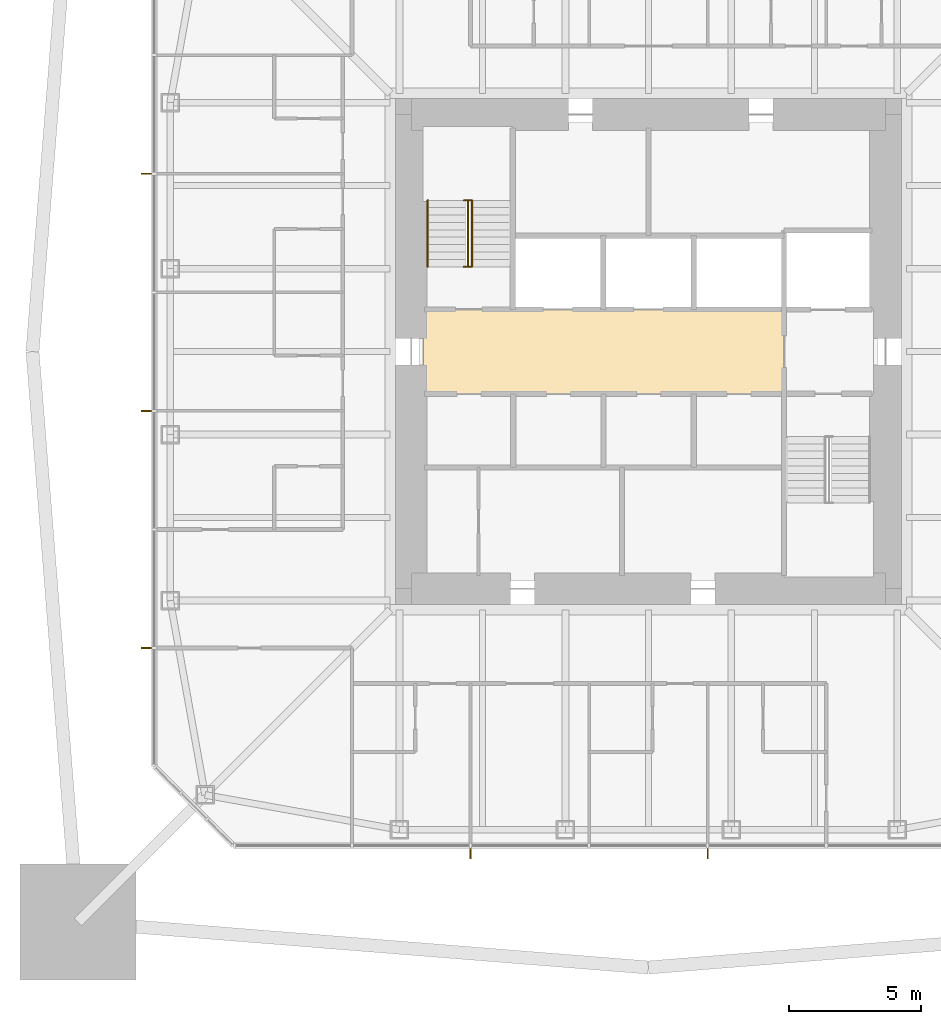
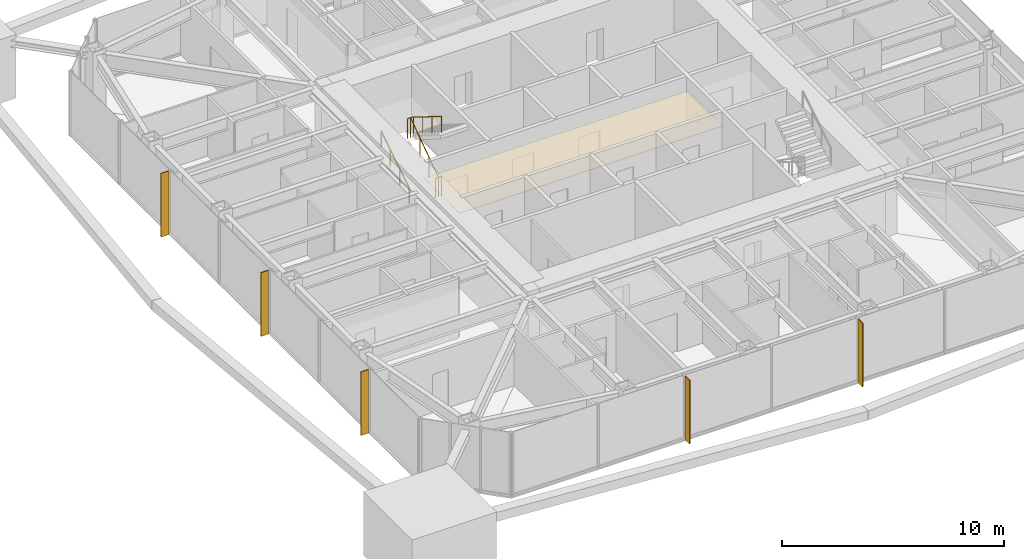
# One storey, part 11 of 13: 5 shading devices, 3 railings, 1 covering.
"""IFC4 building model written with IfcOpenShell, lengths in metres."""

from ifc_helpers import new_model, si_unit, direction, frame, origin, origin_2d, place, context, subcontext, project, spatial, polyline, rectangle, circle, outline, extrude, material, layer, layer_set, constituent, constituent_set, type_object, element, save


model = new_model("IFC4")

# Units and contexts
model_context = context("Model", 3, precision=1e-05, world=origin(), true_north=direction((0.0, 1.0)))
body_context = subcontext(model_context, "Body", "Model", "MODEL_VIEW")
ifc_project = project(units=[si_unit("LENGTHUNIT", "METRE"), si_unit("AREAUNIT", "SQUARE_METRE"), si_unit("VOLUMEUNIT", "CUBIC_METRE"), si_unit("PLANEANGLEUNIT", "RADIAN"), si_unit("MASSUNIT", "GRAM", prefix="KILO")], contexts=[model_context])

# Site, building, storey
site_placement = place(None, origin())
site = spatial("IfcSite", under=ifc_project, at=site_placement, CompositionType="ELEMENT")
building_placement = place(site_placement, origin())
building = spatial("IfcBuilding", under=site, at=building_placement, Name="Iwan Alto Co-Living Towers", CompositionType="ELEMENT")
storey_placement = place(building_placement, frame((0.0, 0.0, 160.0)))
storey = spatial("IfcBuildingStorey", under=building, at=storey_placement, Name="L43", CompositionType="ELEMENT", Elevation=160.0)

# Covering
ifc_material_1 = material(Name="Mineral fibre acoustic tiles on steel grid", Category="steel")
ifc_layer_1 = layer(ifc_material_1, 0.02001953125)
ifc_layer_set_1 = layer_set([ifc_layer_1], Name="ACOUSTIC TILE CEILING 20")
covering_type = type_object("IfcCoveringType", Name="ACOUSTIC TILE CEILING 20", PredefinedType="CEILING", material=ifc_layer_set_1)
covering_placement = place(storey_placement, frame((0.0, 0.0, 2.60009765625)))
element("IfcCovering", 1, at=covering_placement, inside=storey, type_object=covering_type, Name="Ceiling Lift lobby L43", PredefinedType="CEILING", context=body_context, shape_type="SweptSolid", body=[
    extrude(outline(polyline([(-8.550048828125, -1.60009765625), (-8.550048828125, 1.60009765625), (5.14990234375, 1.60009765625), (5.14990234375, -1.60009765625), (-8.550048828125, -1.60009765625)])), origin(), (0.0, 0.0, 1.0), 0.02001953125),
])

# Shading devices
ifc_material_2 = material(Name="Aluminium 6063-T6 bronze anodised", Category="aluminium")
ifc_layer_2 = layer(ifc_material_2, 0.050048828125)
ifc_layer_set_2 = layer_set([ifc_layer_2], Name="BRONZE FIN 50X400")
shading_device_type = type_object("IfcShadingDeviceType", Name="BRONZE FIN 50X400", PredefinedType="USERDEFINED", material=ifc_layer_set_2)
for number, where, z_axis, x_axis, name in (
    (2, (-6.75, -19.050048828125, 0.0), (0.0, 0.0, 1.0), (1.0, 0.0, 0.0), "Bronze fin L43"),
    (3, (2.25, -19.050048828125, 0.0), (0.0, 0.0, 1.0), (1.0, 0.0, 0.0), "Bronze fin L43"),
    (4, (-19.050048828125, 6.75, 0.0), (0.0, 0.0, 1.0), (0.0, -1.0, 0.0), "Bronze fin L43"),
    (5, (-19.050048828125, -2.25, 0.0), (0.0, 0.0, 1.0), (0.0, -1.0, 0.0), "Bronze fin L43"),
    (6, (-19.050048828125, -11.25, 0.0), (0.0, 0.0, 1.0), (0.0, -1.0, 0.0), "Bronze fin L43"),
):
    element("IfcShadingDevice", number, at=place(storey_placement, frame(where, z_axis=z_axis, x_axis=x_axis)), inside=storey, type_object=shading_device_type, Name=name, ObjectType="LOUVER", PredefinedType="USERDEFINED", context=body_context, shape_type="SweptSolid", body=[
        extrude(rectangle(XDim=0.050048828125, YDim=0.39990234375, at=origin_2d()), origin(), (0.0, 0.0, 1.0), 3.5),
    ])

# Railings
ifc_material_3 = material(Name="Steel ASTM A500 Gr C", Category="steel")
ifc_constituent_1 = constituent(ifc_material_3, Name="Rails and posts", Category="Framing")
ifc_material_4 = material(Name="Steel ASTM A36", Category="steel")
ifc_constituent_2 = constituent(ifc_material_4, Name="Bar infill", Category="Infill")
ifc_constituent_set = constituent_set(constituents=[ifc_constituent_1, ifc_constituent_2], Name="STAIR GUARD 1100")
railing_type_1 = type_object("IfcRailingType", Name="STAIR GUARD 1100", PredefinedType="GUARDRAIL", material=ifc_constituent_set)
railing_1_placement = place(storey_placement, frame((-6.85009765625, 3.219970703125, 0.0)))
element("IfcRailing", 7, at=railing_1_placement, inside=storey, type_object=railing_type_1, Name="Stair T1-S1 well guard L43", PredefinedType="GUARDRAIL", context=body_context, shape_type="SweptSolid", body=[
    extrude(circle(Radius=0.02392578125, at=origin_2d()), frame((0.0, 0.0, 1.076171875), z_axis=(0.0, 0.821372036852, 0.570392826987), x_axis=(-1.0, 0.0, 0.0)), (0.0, 0.0, 1.0), 3.068115234375),
    extrude(circle(Radius=0.02392578125, at=origin_2d()), frame((-0.14990234375, 0.0, 1.076171875), z_axis=(1.0, 0.0, 0.0), x_axis=(0.0, 1.0, 0.0)), (0.0, 0.0, 1.0), 0.300048828125),
    extrude(circle(Radius=0.02392578125, at=origin_2d()), frame((-0.14990234375, 2.52001953125, 2.826171875), z_axis=(1.0, 0.0, 0.0), x_axis=(0.0, 1.0, 0.0)), (0.0, 0.0, 1.0), 0.300048828125),
    extrude(circle(Radius=0.02099609375, at=origin_2d()), origin(), (0.0, 0.0, 1.0), 1.052001953125),
    extrude(circle(Radius=0.02099609375, at=origin_2d()), frame((0.0, 0.840087890625, 0.583251953125)), (0.0, 0.0, 1.0), 1.052001953125),
    extrude(circle(Radius=0.02099609375, at=origin_2d()), frame((0.0, 1.679931640625, 1.166748046875)), (0.0, 0.0, 1.0), 1.052001953125),
    extrude(circle(Radius=0.02099609375, at=origin_2d()), frame((0.0, 2.52001953125, 1.75)), (0.0, 0.0, 1.0), 1.052001953125),
    extrude(circle(Radius=0.02099609375, at=origin_2d()), frame((-0.14990234375, 0.0, 0.0)), (0.0, 0.0, 1.0), 1.052001953125),
    extrude(circle(Radius=0.02099609375, at=origin_2d()), frame((0.150146484375, 0.0, 0.0)), (0.0, 0.0, 1.0), 1.052001953125),
    extrude(circle(Radius=0.02099609375, at=origin_2d()), frame((-0.14990234375, 2.52001953125, 1.75)), (0.0, 0.0, 1.0), 1.052001953125),
    extrude(circle(Radius=0.02099609375, at=origin_2d()), frame((0.150146484375, 2.52001953125, 1.75)), (0.0, 0.0, 1.0), 1.052001953125),
])
ifc_material_5 = material(Name="Steel ASTM A500 Gr C", Category="steel")
railing_type_2 = type_object("IfcRailingType", Name="STAIR HANDRAIL 900", PredefinedType="HANDRAIL", material=ifc_material_5)
railing_2_placement = place(storey_placement, frame((-8.3798828125, 3.219970703125, 0.175048828125)))
element("IfcRailing", 8, at=railing_2_placement, inside=storey, type_object=railing_type_2, Name="Stair T1-S1 handrail 1 L43", PredefinedType="HANDRAIL", context=body_context, shape_type="SweptSolid", body=[
    extrude(circle(Radius=0.02392578125, at=origin_2d()), frame((0.0, 0.0, 0.8759765625), z_axis=(0.0, 0.848007534815, 0.529984170421), x_axis=(-1.0, 0.0, 0.0)), (0.0, 0.0, 1.0), 2.9716796875),
    extrude(circle(Radius=0.02099609375, at=origin_2d()), origin(), (0.0, 0.0, 1.0), 0.851806640625),
    extrude(circle(Radius=0.02099609375, at=origin_2d()), frame((0.0, 0.840087890625, 0.52490234375)), (0.0, 0.0, 1.0), 0.851806640625),
    extrude(circle(Radius=0.02099609375, at=origin_2d()), frame((0.0, 1.679931640625, 1.050048828125)), (0.0, 0.0, 1.0), 0.851806640625),
    extrude(circle(Radius=0.02099609375, at=origin_2d()), frame((0.0, 2.52001953125, 1.574951171875)), (0.0, 0.0, 1.0), 0.851806640625),
])
railing_3_placement = place(storey_placement, frame((-6.699951171875, 5.739990234375, 1.925048828125)))
element("IfcRailing", 9, at=railing_3_placement, inside=storey, type_object=railing_type_2, Name="Stair T1-S1 handrail 2 L43", PredefinedType="HANDRAIL", context=body_context, shape_type="SweptSolid", body=[
    extrude(circle(Radius=0.02392578125, at=origin_2d()), frame((0.0, 0.0, 0.8759765625), z_axis=(0.0, -0.848007534815, 0.529984170421), x_axis=(1.0, 0.0, 0.0)), (0.0, 0.0, 1.0), 2.9716796875),
    extrude(circle(Radius=0.02099609375, at=origin_2d()), origin(), (0.0, 0.0, 1.0), 0.851806640625),
    extrude(circle(Radius=0.02099609375, at=origin_2d()), frame((0.0, -0.840087890625, 0.52490234375)), (0.0, 0.0, 1.0), 0.851806640625),
    extrude(circle(Radius=0.02099609375, at=origin_2d()), frame((0.0, -1.679931640625, 1.050048828125)), (0.0, 0.0, 1.0), 0.851806640625),
    extrude(circle(Radius=0.02099609375, at=origin_2d()), frame((0.0, -2.52001953125, 1.574951171875)), (0.0, 0.0, 1.0), 0.851806640625),
])

save(model, "model.ifc")
